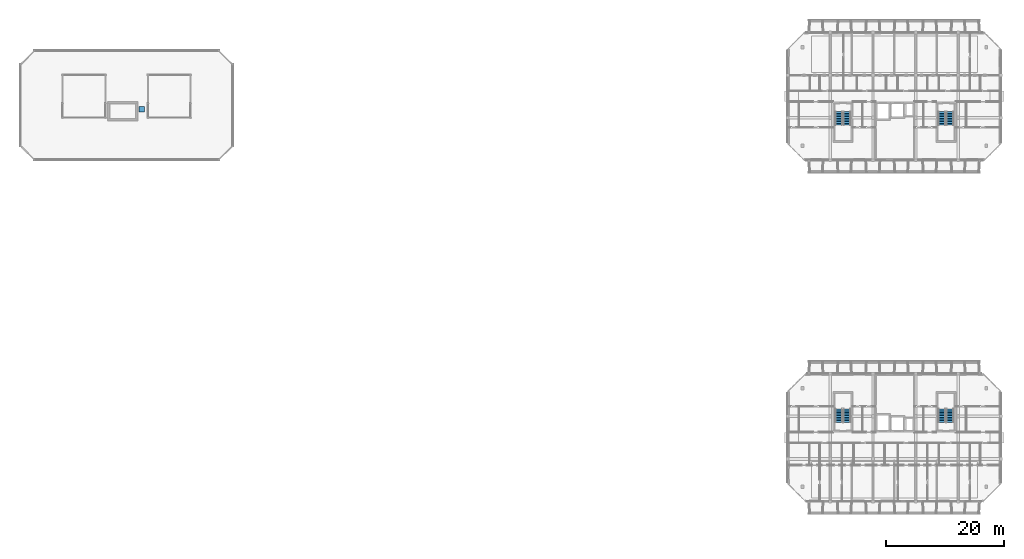
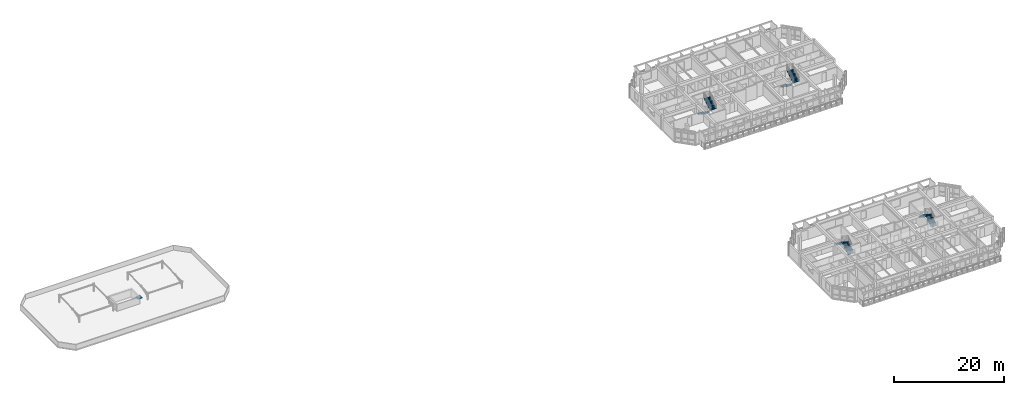
# One storey, part 23 of 31: 8 stair flights, 1 discrete accessory, 4 elements without a shape of their own.
"""IFC4 building model written with IfcOpenShell, lengths in metres."""

from ifc_helpers import new_model, si_unit, direction, frame, origin, origin_2d, place, context, subcontext, project, spatial, polyline, rectangle, outline, extrude, material, type_object, element, aggregate, save


model = new_model("IFC4")

# Units and contexts
model_context = context("Model", 3, precision=1e-05, world=origin(), true_north=direction((0.0, 1.0)))
body_context = subcontext(model_context, "Body", "Model", "MODEL_VIEW")
ifc_project = project(units=[si_unit("LENGTHUNIT", "METRE"), si_unit("AREAUNIT", "SQUARE_METRE"), si_unit("VOLUMEUNIT", "CUBIC_METRE"), si_unit("PLANEANGLEUNIT", "RADIAN"), si_unit("MASSUNIT", "GRAM", prefix="KILO")], contexts=[model_context])

# Site, building, storey
site_placement = place(None, origin())
site = spatial("IfcSite", under=ifc_project, at=site_placement, CompositionType="ELEMENT")
building_placement = place(site_placement, origin())
building = spatial("IfcBuilding", under=site, at=building_placement, Name="Ochrevale Crest", CompositionType="ELEMENT")
storey_placement = place(building_placement, frame((0.0, 0.0, 37.050048828125)))
storey = spatial("IfcBuildingStorey", under=building, at=storey_placement, Name="L11", CompositionType="ELEMENT", Elevation=37.050048828125)

# Stair, stair flights
ifc_material_1 = material(Name="Precast concrete C40/50", Category="concrete")
stair_type = type_object("IfcStairType", Name="ST-CORE-DOG", PredefinedType="HALF_TURN_STAIR", material=ifc_material_1)
stair_1_placement = place(storey_placement, origin())
stair_1 = element("IfcStair", 1, at=stair_1_placement, inside=storey, type_object=stair_type, Name="L11 Block C Fire Stair 1", PredefinedType="HALF_TURN_STAIR")
stair_flight_type = type_object("IfcStairFlightType", Name="SFL-CORE-125", PredefinedType="STRAIGHT", material=ifc_material_1)
stair_flight_1_placement = place(storey_placement, frame((139.625, 27.77490234375, 0.0), z_axis=(0.0, 0.0, 1.0), x_axis=(0.0, 1.0, 0.0)))
stair_flight_1 = element("IfcStairFlight", 2, at=stair_flight_1_placement, type_object=stair_flight_type, Name="ST-C1 flight 1", NumberOfRisers=9, NumberOfTreads=8, PredefinedType="STRAIGHT", RiserHeight=0.175, TreadLength=0.28, context=body_context, shape_type="SweptSolid", body=[
    extrude(outline(polyline([(0.0, 0.0), (0.0, 0.175048828125), (0.280029296875, 0.175048828125), (0.280029296875, 0.35009765625), (0.56005859375, 0.35009765625), (0.56005859375, 0.52490234375), (0.840087890625, 0.52490234375), (0.840087890625, 0.699951171875), (1.1201171875, 0.699951171875), (1.1201171875, 0.875), (1.39990234375, 0.875), (1.39990234375, 1.050048828125), (1.679931640625, 1.050048828125), (1.679931640625, 1.22509765625), (1.9599609375, 1.22509765625), (1.9599609375, 1.39990234375), (2.239990234375, 1.39990234375), (2.239990234375, 1.574951171875), (2.239990234375, 1.22314453125), (0.28271484375, 0.0), (0.0, 0.0)])), frame((0.0, 0.625, 0.0), z_axis=(0.0, -1.0, 0.0), x_axis=(1.0, 0.0, 0.0)), (0.0, 0.0, 1.0), 1.25),
])
stair_flight_2_placement = place(storey_placement, frame((138.22509765625, 30.014892578125, 1.574951171875), z_axis=(0.0, 0.0, 1.0), x_axis=(0.0, -1.0, 0.0)))
stair_flight_2 = element("IfcStairFlight", 3, at=stair_flight_2_placement, type_object=stair_flight_type, Name="ST-C1 flight 2", NumberOfRisers=9, NumberOfTreads=8, PredefinedType="STRAIGHT", RiserHeight=0.175, TreadLength=0.28, context=body_context, shape_type="SweptSolid", body=[
    extrude(outline(polyline([(0.0, 0.0), (0.0, 0.175048828125), (0.280029296875, 0.175048828125), (0.280029296875, 0.35009765625), (0.56005859375, 0.35009765625), (0.56005859375, 0.52490234375), (0.840087890625, 0.52490234375), (0.840087890625, 0.699951171875), (1.1201171875, 0.699951171875), (1.1201171875, 0.875), (1.39990234375, 0.875), (1.39990234375, 1.050048828125), (1.679931640625, 1.050048828125), (1.679931640625, 1.22509765625), (1.9599609375, 1.22509765625), (1.9599609375, 1.39990234375), (2.239990234375, 1.39990234375), (2.239990234375, 1.574951171875), (2.239990234375, 1.22314453125), (0.28271484375, 0.0), (0.0, 0.0)])), frame((0.0, 0.625, 0.0), z_axis=(0.0, -1.0, 0.0), x_axis=(1.0, 0.0, 0.0)), (0.0, 0.0, 1.0), 1.25),
])
aggregate(stair_1, [stair_flight_1, stair_flight_2])

stair_2_placement = place(storey_placement, origin())
stair_2 = element("IfcStair", 4, at=stair_2_placement, inside=storey, type_object=stair_type, Name="L11 Block C Fire Stair 2", PredefinedType="HALF_TURN_STAIR")
stair_flight_3_placement = place(storey_placement, frame((157.02490234375, 27.77490234375, 0.0), z_axis=(0.0, 0.0, 1.0), x_axis=(0.0, 1.0, 0.0)))
stair_flight_3 = element("IfcStairFlight", 5, at=stair_flight_3_placement, type_object=stair_flight_type, Name="ST-C2 flight 1", NumberOfRisers=9, NumberOfTreads=8, PredefinedType="STRAIGHT", RiserHeight=0.175, TreadLength=0.28, context=body_context, shape_type="SweptSolid", body=[
    extrude(outline(polyline([(0.0, 0.0), (0.0, 0.175048828125), (0.280029296875, 0.175048828125), (0.280029296875, 0.35009765625), (0.56005859375, 0.35009765625), (0.56005859375, 0.52490234375), (0.840087890625, 0.52490234375), (0.840087890625, 0.699951171875), (1.1201171875, 0.699951171875), (1.1201171875, 0.875), (1.39990234375, 0.875), (1.39990234375, 1.050048828125), (1.679931640625, 1.050048828125), (1.679931640625, 1.22509765625), (1.9599609375, 1.22509765625), (1.9599609375, 1.39990234375), (2.239990234375, 1.39990234375), (2.239990234375, 1.574951171875), (2.239990234375, 1.22314453125), (0.28271484375, 0.0), (0.0, 0.0)])), frame((0.0, 0.625, 0.0), z_axis=(0.0, -1.0, 0.0), x_axis=(1.0, 0.0, 0.0)), (0.0, 0.0, 1.0), 1.25),
])
stair_flight_4_placement = place(storey_placement, frame((155.625, 30.014892578125, 1.574951171875), z_axis=(0.0, 0.0, 1.0), x_axis=(0.0, -1.0, 0.0)))
stair_flight_4 = element("IfcStairFlight", 6, at=stair_flight_4_placement, type_object=stair_flight_type, Name="ST-C2 flight 2", NumberOfRisers=9, NumberOfTreads=8, PredefinedType="STRAIGHT", RiserHeight=0.175, TreadLength=0.28, context=body_context, shape_type="SweptSolid", body=[
    extrude(outline(polyline([(0.0, 0.0), (0.0, 0.175048828125), (0.280029296875, 0.175048828125), (0.280029296875, 0.35009765625), (0.56005859375, 0.35009765625), (0.56005859375, 0.52490234375), (0.840087890625, 0.52490234375), (0.840087890625, 0.699951171875), (1.1201171875, 0.699951171875), (1.1201171875, 0.875), (1.39990234375, 0.875), (1.39990234375, 1.050048828125), (1.679931640625, 1.050048828125), (1.679931640625, 1.22509765625), (1.9599609375, 1.22509765625), (1.9599609375, 1.39990234375), (2.239990234375, 1.39990234375), (2.239990234375, 1.574951171875), (2.239990234375, 1.22314453125), (0.28271484375, 0.0), (0.0, 0.0)])), frame((0.0, 0.625, 0.0), z_axis=(0.0, -1.0, 0.0), x_axis=(1.0, 0.0, 0.0)), (0.0, 0.0, 1.0), 1.25),
])
aggregate(stair_2, [stair_flight_3, stair_flight_4])

stair_3_placement = place(storey_placement, origin())
stair_3 = element("IfcStair", 7, at=stair_3_placement, inside=storey, type_object=stair_type, Name="L11 Block D Fire Stair 1", PredefinedType="HALF_TURN_STAIR")
stair_flight_5_placement = place(storey_placement, frame((138.22509765625, 80.22509765625, 0.0), z_axis=(0.0, 0.0, 1.0), x_axis=(0.0, -1.0, 0.0)))
stair_flight_5 = element("IfcStairFlight", 8, at=stair_flight_5_placement, type_object=stair_flight_type, Name="ST-D1 flight 1", NumberOfRisers=9, NumberOfTreads=8, PredefinedType="STRAIGHT", RiserHeight=0.175, TreadLength=0.28, context=body_context, shape_type="SweptSolid", body=[
    extrude(outline(polyline([(0.0, 0.0), (0.0, 0.175048828125), (0.280029296875, 0.175048828125), (0.280029296875, 0.35009765625), (0.56005859375, 0.35009765625), (0.56005859375, 0.52490234375), (0.840087890625, 0.52490234375), (0.840087890625, 0.699951171875), (1.1201171875, 0.699951171875), (1.1201171875, 0.875), (1.39990234375, 0.875), (1.39990234375, 1.050048828125), (1.679931640625, 1.050048828125), (1.679931640625, 1.22509765625), (1.9599609375, 1.22509765625), (1.9599609375, 1.39990234375), (2.239990234375, 1.39990234375), (2.239990234375, 1.574951171875), (2.239990234375, 1.22314453125), (0.28271484375, 0.0), (0.0, 0.0)])), frame((0.0, 0.625, 0.0), z_axis=(0.0, -1.0, 0.0), x_axis=(1.0, 0.0, 0.0)), (0.0, 0.0, 1.0), 1.25),
])
stair_flight_6_placement = place(storey_placement, frame((139.625, 77.985107421875, 1.574951171875), z_axis=(0.0, 0.0, 1.0), x_axis=(0.0, 1.0, 0.0)))
stair_flight_6 = element("IfcStairFlight", 9, at=stair_flight_6_placement, type_object=stair_flight_type, Name="ST-D1 flight 2", NumberOfRisers=9, NumberOfTreads=8, PredefinedType="STRAIGHT", RiserHeight=0.175, TreadLength=0.28, context=body_context, shape_type="SweptSolid", body=[
    extrude(outline(polyline([(0.0, 0.0), (0.0, 0.175048828125), (0.280029296875, 0.175048828125), (0.280029296875, 0.35009765625), (0.56005859375, 0.35009765625), (0.56005859375, 0.52490234375), (0.840087890625, 0.52490234375), (0.840087890625, 0.699951171875), (1.1201171875, 0.699951171875), (1.1201171875, 0.875), (1.39990234375, 0.875), (1.39990234375, 1.050048828125), (1.679931640625, 1.050048828125), (1.679931640625, 1.22509765625), (1.9599609375, 1.22509765625), (1.9599609375, 1.39990234375), (2.239990234375, 1.39990234375), (2.239990234375, 1.574951171875), (2.239990234375, 1.22314453125), (0.28271484375, 0.0), (0.0, 0.0)])), frame((0.0, 0.625, 0.0), z_axis=(0.0, -1.0, 0.0), x_axis=(1.0, 0.0, 0.0)), (0.0, 0.0, 1.0), 1.25),
])
aggregate(stair_3, [stair_flight_5, stair_flight_6])

stair_4_placement = place(storey_placement, origin())
stair_4 = element("IfcStair", 10, at=stair_4_placement, inside=storey, type_object=stair_type, Name="L11 Block D Fire Stair 2", PredefinedType="HALF_TURN_STAIR")
stair_flight_7_placement = place(storey_placement, frame((155.625, 80.22509765625, 0.0), z_axis=(0.0, 0.0, 1.0), x_axis=(0.0, -1.0, 0.0)))
stair_flight_7 = element("IfcStairFlight", 11, at=stair_flight_7_placement, type_object=stair_flight_type, Name="ST-D2 flight 1", NumberOfRisers=9, NumberOfTreads=8, PredefinedType="STRAIGHT", RiserHeight=0.175, TreadLength=0.28, context=body_context, shape_type="SweptSolid", body=[
    extrude(outline(polyline([(0.0, 0.0), (0.0, 0.175048828125), (0.280029296875, 0.175048828125), (0.280029296875, 0.35009765625), (0.56005859375, 0.35009765625), (0.56005859375, 0.52490234375), (0.840087890625, 0.52490234375), (0.840087890625, 0.699951171875), (1.1201171875, 0.699951171875), (1.1201171875, 0.875), (1.39990234375, 0.875), (1.39990234375, 1.050048828125), (1.679931640625, 1.050048828125), (1.679931640625, 1.22509765625), (1.9599609375, 1.22509765625), (1.9599609375, 1.39990234375), (2.239990234375, 1.39990234375), (2.239990234375, 1.574951171875), (2.239990234375, 1.22314453125), (0.28271484375, 0.0), (0.0, 0.0)])), frame((0.0, 0.625, 0.0), z_axis=(0.0, -1.0, 0.0), x_axis=(1.0, 0.0, 0.0)), (0.0, 0.0, 1.0), 1.25),
])
stair_flight_8_placement = place(storey_placement, frame((157.02490234375, 77.985107421875, 1.574951171875), z_axis=(0.0, 0.0, 1.0), x_axis=(0.0, 1.0, 0.0)))
stair_flight_8 = element("IfcStairFlight", 12, at=stair_flight_8_placement, type_object=stair_flight_type, Name="ST-D2 flight 2", NumberOfRisers=9, NumberOfTreads=8, PredefinedType="STRAIGHT", RiserHeight=0.175, TreadLength=0.28, context=body_context, shape_type="SweptSolid", body=[
    extrude(outline(polyline([(0.0, 0.0), (0.0, 0.175048828125), (0.280029296875, 0.175048828125), (0.280029296875, 0.35009765625), (0.56005859375, 0.35009765625), (0.56005859375, 0.52490234375), (0.840087890625, 0.52490234375), (0.840087890625, 0.699951171875), (1.1201171875, 0.699951171875), (1.1201171875, 0.875), (1.39990234375, 0.875), (1.39990234375, 1.050048828125), (1.679931640625, 1.050048828125), (1.679931640625, 1.22509765625), (1.9599609375, 1.22509765625), (1.9599609375, 1.39990234375), (2.239990234375, 1.39990234375), (2.239990234375, 1.574951171875), (2.239990234375, 1.22314453125), (0.28271484375, 0.0), (0.0, 0.0)])), frame((0.0, 0.625, 0.0), z_axis=(0.0, -1.0, 0.0), x_axis=(1.0, 0.0, 0.0)), (0.0, 0.0, 1.0), 1.25),
])
aggregate(stair_4, [stair_flight_7, stair_flight_8])

# Discrete accessory
ifc_material_2 = material(Name="Galvanised steel", Category="steel")
discrete_accessory_type = type_object("IfcDiscreteAccessoryType", Name="ACC-ROOF-HATCH", PredefinedType="USERDEFINED", material=ifc_material_2)
discrete_accessory_placement = place(storey_placement, frame((20.574951171875, 80.60009765625, -0.0400390625), z_axis=(0.0, 0.0, 1.0), x_axis=(1.0, 0.0, 0.0)))
element("IfcDiscreteAccessory", 13, at=discrete_accessory_placement, inside=storey, type_object=discrete_accessory_type, Name="Block B L11 roof maintenance access hatch", ObjectType="ROOF_HATCH", PredefinedType="USERDEFINED", context=body_context, shape_type="SweptSolid", body=[
    extrude(rectangle(XDim=0.919921875, YDim=0.919921875, at=origin_2d()), origin(), (0.0, 0.0, 1.0), 0.159912109375),
])

save(model, "model.ifc")
